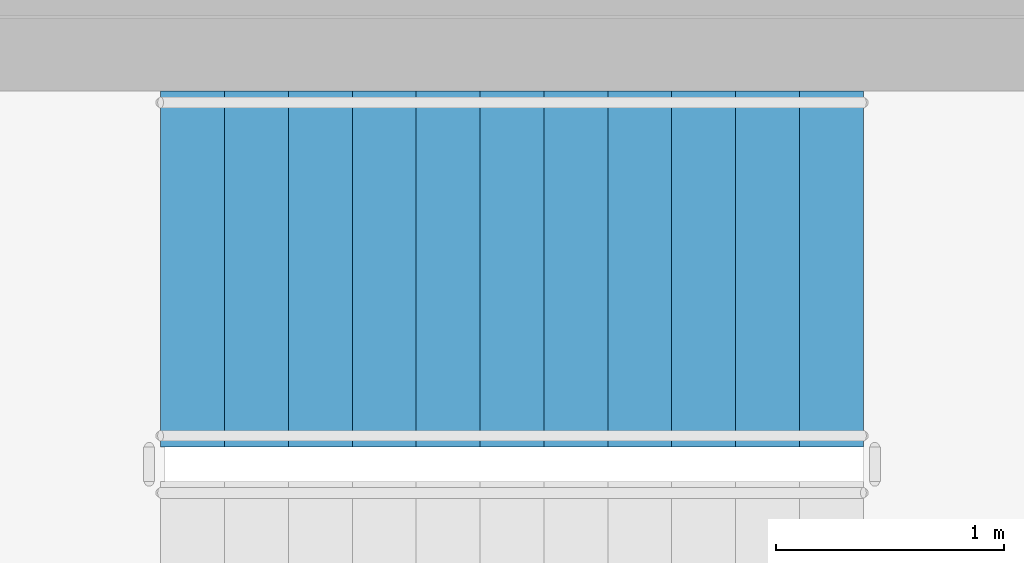
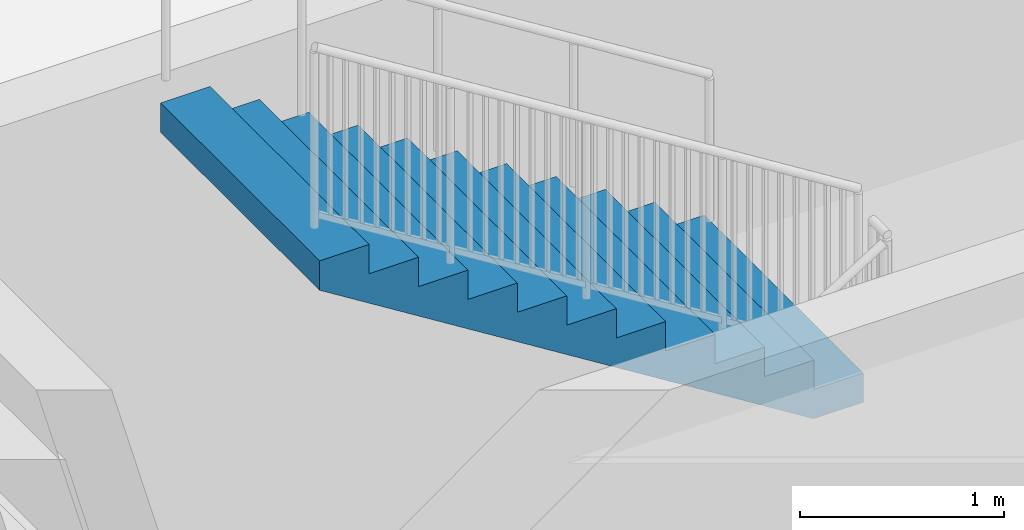
# One storey, part 49 of 63: 1 stair flight, 1 element without a shape of its own.
"""IFC4 building model written with IfcOpenShell, lengths in metres."""

import ifcopenshell
import ifcopenshell.guid

model = None  # the IFC model being written
_history = None  # IfcOwnerHistory: only IFC2X3 demands one
_inside = {}  # id of a spatial element -> (the spatial element, [elements in it])
_under = {}  # id of a project, library or spatial element -> (it, [spatial elements below it])
_declared = {}  # id of a project -> (the project, [libraries it declares])
_typed = {}  # id of a type object -> (the type object, [elements of that type])
_made_of = {}  # id of a material, layer set ... -> (it, [elements and type objects made of it])


def new_model(schema):
    """Start an empty IFC model of exactly this schema.

    Asked for "IFC4X3", IfcOpenShell would pick the latest addendum, in which some entities
    have other attributes; the version numbers below select the first issue.
    IFC2X3 requires an IfcOwnerHistory on every rooted entity: one is made here for all.
    """
    global model, _history
    if schema == "IFC4X3":
        model = ifcopenshell.file(schema_version=(4, 3, 0, 0))
    else:
        model = ifcopenshell.file(schema=schema)
    _inside.clear()
    _under.clear()
    _declared.clear()
    _typed.clear()
    _made_of.clear()
    _history = None
    if model.schema == "IFC2X3":
        org = make("IfcOrganization", Name="unknown")
        user = make(
            "IfcPersonAndOrganization",
            ThePerson=make("IfcPerson", FamilyName="unknown"),
            TheOrganization=org,
        )
        app = make(
            "IfcApplication",
            ApplicationDeveloper=org,
            Version="unknown",
            ApplicationFullName="unknown",
            ApplicationIdentifier="unknown",
        )
        _history = make(
            "IfcOwnerHistory",
            OwningUser=user,
            OwningApplication=app,
            ChangeAction="ADDED",
            CreationDate=0,
        )
    return model


def make(cls, **values):
    """One entity of the class cls with the attributes given. An attribute that is None is left unset."""
    return model.create_entity(
        cls, **{name: value for name, value in values.items() if value is not None}
    )


def rooted(cls, **values):
    """An entity with a GlobalId (a new one), such as an element, a storey or a relation."""
    return make(cls, GlobalId=ifcopenshell.guid.new(), OwnerHistory=_history, **values)


def si_unit(unit_type, name, prefix=None):
    """IfcSIUnit, for example si_unit("LENGTHUNIT", "METRE", prefix="MILLI")."""
    return make("IfcSIUnit", UnitType=unit_type, Prefix=prefix, Name=name)


def assignment(units):
    """IfcUnitAssignment: the units of a project."""
    return None if units is None else make("IfcUnitAssignment", Units=units)


def point(xyz):
    """IfcCartesianPoint."""
    return None if xyz is None else make("IfcCartesianPoint", Coordinates=xyz)


def direction(xyz):
    """IfcDirection."""
    return None if xyz is None else make("IfcDirection", DirectionRatios=xyz)


def frame(location, z_axis=None, x_axis=None):
    """IfcAxis2Placement3D, a coordinate frame: its origin and axes. An axis left out is left unset."""
    return make(
        "IfcAxis2Placement3D",
        Location=point(location),
        Axis=direction(z_axis),
        RefDirection=direction(x_axis),
    )


def origin():
    """The frame at (0, 0, 0) with its axes left unset."""
    return frame((0.0, 0.0, 0.0))


def place(relative_to, where):
    """IfcLocalPlacement: puts the frame where relative to a parent placement (None: the world)."""
    return make(
        "IfcLocalPlacement", PlacementRelTo=relative_to, RelativePlacement=where
    )


def context(
    kind, dimensions, precision=None, world=None, true_north=None, identifier=None
):
    """IfcGeometricRepresentationContext, for example the 3D "Model" context."""
    return make(
        "IfcGeometricRepresentationContext",
        ContextIdentifier=identifier,
        ContextType=kind,
        CoordinateSpaceDimension=dimensions,
        Precision=precision,
        WorldCoordinateSystem=world,
        TrueNorth=true_north,
    )


def subcontext(parent, identifier, kind, view, scale=None):
    """IfcGeometricRepresentationSubContext, for example "Body" below "Model"."""
    return make(
        "IfcGeometricRepresentationSubContext",
        ContextIdentifier=identifier,
        ContextType=kind,
        ParentContext=parent,
        TargetScale=scale,
        TargetView=view,
    )


def project(units=None, contexts=None):
    """IfcProject with its units and contexts."""
    return rooted(
        "IfcProject",
        Name="project",
        RepresentationContexts=contexts,
        UnitsInContext=assignment(units),
    )


def spatial(cls, under=None, at=None, **own):
    """A site, building, storey or space (cls), placed at a placement, below another one or the project."""
    s = rooted(cls, ObjectPlacement=at, **own)
    if under is not None:
        _under.setdefault(under.id(), (under, []))[1].append(s)
    return s


def point_list(points):
    """IfcCartesianPointList2D or 3D."""
    cls = (
        "IfcCartesianPointList2D" if len(points[0]) == 2 else "IfcCartesianPointList3D"
    )
    return make(cls, CoordList=points)


def polygons(points, faces, closed=None, point_numbers=None):
    """IfcPolygonalFaceSet: a face is its outer loop, then its inner loops; points numbered from 1."""
    made = []
    for loops in faces:
        if len(loops) == 1:
            made.append(make("IfcIndexedPolygonalFace", CoordIndex=loops[0]))
        else:
            made.append(
                make(
                    "IfcIndexedPolygonalFaceWithVoids",
                    CoordIndex=loops[0],
                    InnerCoordIndices=loops[1:],
                )
            )
    return make(
        "IfcPolygonalFaceSet",
        Coordinates=point_list(points),
        Closed=closed,
        Faces=made,
        PnIndex=point_numbers,
    )


def shape(context_of_items, identifier, shape_type, items):
    """IfcShapeRepresentation: the items that make up one representation, for example the "Body"."""
    return make(
        "IfcShapeRepresentation",
        ContextOfItems=context_of_items,
        RepresentationIdentifier=identifier,
        RepresentationType=shape_type,
        Items=items,
    )


def material(Name=None, Category=None):
    """IfcMaterial."""
    return make("IfcMaterial", Name=Name, Category=Category)


def made_of(thing, what):
    """Note that an element or type object is made of a material, layer set ...; save() writes the relation."""
    if what is not None:
        _made_of.setdefault(what.id(), (what, []))[1].append(thing)
    return thing


def type_object(cls, material=None, **own):
    """A type object (cls), such as IfcWallType, which elements share."""
    return made_of(rooted(cls, **own), material)


def element(
    cls,
    number,
    at=None,
    inside=None,
    cuts=None,
    type_object=None,
    material=None,
    context=None,
    identifier="Body",
    shape_type=None,
    held_by="IfcProductDefinitionShape",
    body=None,
    shapes=None,
    **own,
):
    """One element of the class cls, such as IfcWall. Its Tag is "e" and its number.

    at: its placement. inside: the storey or other place that contains it. cuts: it is an
    opening in that element (IfcRelVoidsElement). A single representation is given by context,
    identifier, shape_type and body (its items); several are given by shapes. held_by: the class
    of the entity that holds the representations. save() writes the other relations.
    """
    e = rooted(cls, Tag="e%d" % number, ObjectPlacement=at, **own)
    if body is not None:
        shapes = [shape(context, identifier, shape_type, body)]
    if shapes is not None:
        e.Representation = make(held_by, Representations=shapes)
    if inside is not None:
        _inside.setdefault(inside.id(), (inside, []))[1].append(e)
    if cuts is not None:
        rooted(
            "IfcRelVoidsElement", RelatingBuildingElement=cuts, RelatedOpeningElement=e
        )
    if type_object is not None:
        _typed.setdefault(type_object.id(), (type_object, []))[1].append(e)
    return made_of(e, material)


def aggregate(whole, parts):
    """IfcRelAggregates: a whole, such as a stair, and the parts it consists of."""
    return rooted("IfcRelAggregates", RelatingObject=whole, RelatedObjects=parts)


def save(model, path):
    """Write the relations noted so far, then the file.

    IfcRelAggregates (storeys below a building ...), IfcRelContainedInSpatialStructure (elements
    in a storey), IfcRelDefinesByType, IfcRelAssociatesMaterial and IfcRelDeclares: one each for
    every whole, place, type object, material and project.
    """
    for whole, parts in _under.values():
        aggregate(whole, parts)
    for where, things in _inside.values():
        rooted(
            "IfcRelContainedInSpatialStructure",
            RelatedElements=things,
            RelatingStructure=where,
        )
    for kind, things in _typed.values():
        rooted("IfcRelDefinesByType", RelatedObjects=things, RelatingType=kind)
    for what, things in _made_of.values():
        rooted("IfcRelAssociatesMaterial", RelatedObjects=things, RelatingMaterial=what)
    for by, libraries in _declared.values():
        rooted("IfcRelDeclares", RelatingContext=by, RelatedDefinitions=libraries)
    model.write(path)


model = new_model("IFC4")

# Units and contexts
model_context = context("Model", 3, precision=1e-05, world=origin(), true_north=direction((0.0, 1.0)))
body_context = subcontext(model_context, "Body", "Model", "MODEL_VIEW")
ifc_project = project(units=[si_unit("LENGTHUNIT", "METRE"), si_unit("AREAUNIT", "SQUARE_METRE"), si_unit("VOLUMEUNIT", "CUBIC_METRE"), si_unit("PLANEANGLEUNIT", "RADIAN"), si_unit("MASSUNIT", "GRAM", prefix="KILO")], contexts=[model_context])

# Site, building, storey
site_placement = place(None, origin())
site = spatial("IfcSite", under=ifc_project, at=site_placement, CompositionType="ELEMENT")
building_placement = place(site_placement, origin())
building = spatial("IfcBuilding", under=site, at=building_placement, Name="Zantavel Square City Hall", CompositionType="ELEMENT")
storey_placement = place(building_placement, frame((0.0, 0.0, 14.699951171875)))
storey = spatial("IfcBuildingStorey", under=building, at=storey_placement, Name="L04", CompositionType="ELEMENT", Elevation=14.699951171875)

# Stair, stair flight
ifc_material = material(Name="Concrete C35/45", Category="concrete")
stair_type = type_object("IfcStairType", Name="Enclosed Core Dogleg Stair L04 H4200", PredefinedType="HALF_TURN_STAIR", material=ifc_material)
stair_placement = place(storey_placement, origin())
stair = element("IfcStair", 1, at=stair_placement, inside=storey, type_object=stair_type, Name="L04 Exit Stair 1 North-West Core", PredefinedType="HALF_TURN_STAIR")
stair_flight_type = type_object("IfcStairFlightType", Name="Enclosed Core Stair Flight L04 W1560", PredefinedType="STRAIGHT", material=ifc_material)
stair_flight_placement = place(storey_placement, frame((53.110107421875, 82.590087890625, 2.10009765625), z_axis=(0.0, 0.0, 1.0), x_axis=(-1.0, 0.0, 0.0)))
stair_flight = element("IfcStairFlight", 2, at=stair_flight_placement, type_object=stair_flight_type, Name="ST1 flight 2", NumberOfRisers=12, NumberOfTreads=11, PredefinedType="STRAIGHT", RiserHeight=0.175, TreadLength=0.28, context=body_context, shape_type="Tessellation", body=[
    polygons([(0.28271484375, -0.780029296875, 0.0), (3.080078125, -0.780029296875, 1.748291015625), (3.080078125, -0.780029296875, 1.925048828125), (2.800048828125, -0.780029296875, 1.925048828125), (2.800048828125, -0.780029296875, 1.75), (2.52001953125, -0.780029296875, 1.75), (2.52001953125, -0.780029296875, 1.574951171875), (2.239990234375, -0.780029296875, 1.574951171875), (2.239990234375, -0.780029296875, 1.39990234375), (1.9599609375, -0.780029296875, 1.39990234375), (1.9599609375, -0.780029296875, 1.22509765625), (1.679931640625, -0.780029296875, 1.22509765625), (1.679931640625, -0.780029296875, 1.050048828125), (1.39990234375, -0.780029296875, 1.050048828125), (1.39990234375, -0.780029296875, 0.875), (1.1201171875, -0.780029296875, 0.875), (1.1201171875, -0.780029296875, 0.699951171875), (0.840087890625, -0.780029296875, 0.699951171875), (0.840087890625, -0.780029296875, 0.52490234375), (0.56005859375, -0.780029296875, 0.52490234375), (0.56005859375, -0.780029296875, 0.35009765625), (0.280029296875, -0.780029296875, 0.35009765625), (0.280029296875, -0.780029296875, 0.175048828125), (0.0, -0.780029296875, 0.175048828125), (0.0, -0.780029296875, 0.0), (0.28271484375, -0.5849609375, 0.0), (3.080078125, -0.5849609375, 1.748291015625), (3.080078125, -0.5849609375, 1.925048828125), (2.800048828125, -0.5849609375, 1.925048828125), (2.800048828125, -0.5849609375, 1.75), (2.52001953125, -0.5849609375, 1.75), (2.52001953125, -0.5849609375, 1.574951171875), (2.239990234375, -0.5849609375, 1.574951171875), (2.239990234375, -0.5849609375, 1.39990234375), (1.9599609375, -0.5849609375, 1.39990234375), (1.9599609375, -0.5849609375, 1.22509765625), (1.679931640625, -0.5849609375, 1.22509765625), (1.679931640625, -0.5849609375, 1.050048828125), (1.39990234375, -0.5849609375, 1.050048828125), (1.39990234375, -0.5849609375, 0.875), (1.1201171875, -0.5849609375, 0.875), (1.1201171875, -0.5849609375, 0.699951171875), (0.840087890625, -0.5849609375, 0.699951171875), (0.840087890625, -0.5849609375, 0.52490234375), (0.56005859375, -0.5849609375, 0.52490234375), (0.56005859375, -0.5849609375, 0.35009765625), (0.280029296875, -0.5849609375, 0.35009765625), (0.280029296875, -0.5849609375, 0.175048828125), (0.0, -0.5849609375, 0.175048828125), (0.0, -0.5849609375, 0.0), (0.28271484375, -0.39013671875, 0.0), (3.080078125, -0.39013671875, 1.748291015625), (3.080078125, -0.39013671875, 1.925048828125), (2.800048828125, -0.39013671875, 1.925048828125), (2.800048828125, -0.39013671875, 1.75), (2.52001953125, -0.39013671875, 1.75), (2.52001953125, -0.39013671875, 1.574951171875), (2.239990234375, -0.39013671875, 1.574951171875), (2.239990234375, -0.39013671875, 1.39990234375), (1.9599609375, -0.39013671875, 1.39990234375), (1.9599609375, -0.39013671875, 1.22509765625), (1.679931640625, -0.39013671875, 1.22509765625), (1.679931640625, -0.39013671875, 1.050048828125), (1.39990234375, -0.39013671875, 1.050048828125), (1.39990234375, -0.39013671875, 0.875), (1.1201171875, -0.39013671875, 0.875), (1.1201171875, -0.39013671875, 0.699951171875), (0.840087890625, -0.39013671875, 0.699951171875), (0.840087890625, -0.39013671875, 0.52490234375), (0.56005859375, -0.39013671875, 0.52490234375), (0.56005859375, -0.39013671875, 0.35009765625), (0.280029296875, -0.39013671875, 0.35009765625), (0.280029296875, -0.39013671875, 0.175048828125), (0.0, -0.39013671875, 0.175048828125), (0.0, -0.39013671875, 0.0), (0.28271484375, -0.195068359375, 0.0), (3.080078125, -0.195068359375, 1.748291015625), (3.080078125, -0.195068359375, 1.925048828125), (2.800048828125, -0.195068359375, 1.925048828125), (2.800048828125, -0.195068359375, 1.75), (2.52001953125, -0.195068359375, 1.75), (2.52001953125, -0.195068359375, 1.574951171875), (2.239990234375, -0.195068359375, 1.574951171875), (2.239990234375, -0.195068359375, 1.39990234375), (1.9599609375, -0.195068359375, 1.39990234375), (1.9599609375, -0.195068359375, 1.22509765625), (1.679931640625, -0.195068359375, 1.22509765625), (1.679931640625, -0.195068359375, 1.050048828125), (1.39990234375, -0.195068359375, 1.050048828125), (1.39990234375, -0.195068359375, 0.875), (1.1201171875, -0.195068359375, 0.875), (1.1201171875, -0.195068359375, 0.699951171875), (0.840087890625, -0.195068359375, 0.699951171875), (0.840087890625, -0.195068359375, 0.52490234375), (0.56005859375, -0.195068359375, 0.52490234375), (0.56005859375, -0.195068359375, 0.35009765625), (0.280029296875, -0.195068359375, 0.35009765625), (0.280029296875, -0.195068359375, 0.175048828125), (0.0, -0.195068359375, 0.175048828125), (0.0, -0.195068359375, 0.0), (0.28271484375, 0.0, 0.0), (3.080078125, 0.0, 1.748291015625), (3.080078125, 0.0, 1.925048828125), (2.800048828125, 0.0, 1.925048828125), (2.800048828125, 0.0, 1.75), (2.52001953125, 0.0, 1.75), (2.52001953125, 0.0, 1.574951171875), (2.239990234375, 0.0, 1.574951171875), (2.239990234375, 0.0, 1.39990234375), (1.9599609375, 0.0, 1.39990234375), (1.9599609375, 0.0, 1.22509765625), (1.679931640625, 0.0, 1.22509765625), (1.679931640625, 0.0, 1.050048828125), (1.39990234375, 0.0, 1.050048828125), (1.39990234375, 0.0, 0.875), (1.1201171875, 0.0, 0.875), (1.1201171875, 0.0, 0.699951171875), (0.840087890625, 0.0, 0.699951171875), (0.840087890625, 0.0, 0.52490234375), (0.56005859375, 0.0, 0.52490234375), (0.56005859375, 0.0, 0.35009765625), (0.280029296875, 0.0, 0.35009765625), (0.280029296875, 0.0, 0.175048828125), (0.0, 0.0, 0.175048828125), (0.0, 0.0, 0.0), (0.28271484375, 0.195068359375, 0.0), (3.080078125, 0.195068359375, 1.748291015625), (3.080078125, 0.195068359375, 1.925048828125), (2.800048828125, 0.195068359375, 1.925048828125), (2.800048828125, 0.195068359375, 1.75), (2.52001953125, 0.195068359375, 1.75), (2.52001953125, 0.195068359375, 1.574951171875), (2.239990234375, 0.195068359375, 1.574951171875), (2.239990234375, 0.195068359375, 1.39990234375), (1.9599609375, 0.195068359375, 1.39990234375), (1.9599609375, 0.195068359375, 1.22509765625), (1.679931640625, 0.195068359375, 1.22509765625), (1.679931640625, 0.195068359375, 1.050048828125), (1.39990234375, 0.195068359375, 1.050048828125), (1.39990234375, 0.195068359375, 0.875), (1.1201171875, 0.195068359375, 0.875), (1.1201171875, 0.195068359375, 0.699951171875), (0.840087890625, 0.195068359375, 0.699951171875), (0.840087890625, 0.195068359375, 0.52490234375), (0.56005859375, 0.195068359375, 0.52490234375), (0.56005859375, 0.195068359375, 0.35009765625), (0.280029296875, 0.195068359375, 0.35009765625), (0.280029296875, 0.195068359375, 0.175048828125), (0.0, 0.195068359375, 0.175048828125), (0.0, 0.195068359375, 0.0), (0.28271484375, 0.39013671875, 0.0), (3.080078125, 0.39013671875, 1.748291015625), (3.080078125, 0.39013671875, 1.925048828125), (2.800048828125, 0.39013671875, 1.925048828125), (2.800048828125, 0.39013671875, 1.75), (2.52001953125, 0.39013671875, 1.75), (2.52001953125, 0.39013671875, 1.574951171875), (2.239990234375, 0.39013671875, 1.574951171875), (2.239990234375, 0.39013671875, 1.39990234375), (1.9599609375, 0.39013671875, 1.39990234375), (1.9599609375, 0.39013671875, 1.22509765625), (1.679931640625, 0.39013671875, 1.22509765625), (1.679931640625, 0.39013671875, 1.050048828125), (1.39990234375, 0.39013671875, 1.050048828125), (1.39990234375, 0.39013671875, 0.875), (1.1201171875, 0.39013671875, 0.875), (1.1201171875, 0.39013671875, 0.699951171875), (0.840087890625, 0.39013671875, 0.699951171875), (0.840087890625, 0.39013671875, 0.52490234375), (0.56005859375, 0.39013671875, 0.52490234375), (0.56005859375, 0.39013671875, 0.35009765625), (0.280029296875, 0.39013671875, 0.35009765625), (0.280029296875, 0.39013671875, 0.175048828125), (0.0, 0.39013671875, 0.175048828125), (0.0, 0.39013671875, 0.0), (0.28271484375, 0.5849609375, 0.0), (3.080078125, 0.5849609375, 1.748291015625), (3.080078125, 0.5849609375, 1.925048828125), (2.800048828125, 0.5849609375, 1.925048828125), (2.800048828125, 0.5849609375, 1.75), (2.52001953125, 0.5849609375, 1.75), (2.52001953125, 0.5849609375, 1.574951171875), (2.239990234375, 0.5849609375, 1.574951171875), (2.239990234375, 0.5849609375, 1.39990234375), (1.9599609375, 0.5849609375, 1.39990234375), (1.9599609375, 0.5849609375, 1.22509765625), (1.679931640625, 0.5849609375, 1.22509765625), (1.679931640625, 0.5849609375, 1.050048828125), (1.39990234375, 0.5849609375, 1.050048828125), (1.39990234375, 0.5849609375, 0.875), (1.1201171875, 0.5849609375, 0.875), (1.1201171875, 0.5849609375, 0.699951171875), (0.840087890625, 0.5849609375, 0.699951171875), (0.840087890625, 0.5849609375, 0.52490234375), (0.56005859375, 0.5849609375, 0.52490234375), (0.56005859375, 0.5849609375, 0.35009765625), (0.280029296875, 0.5849609375, 0.35009765625), (0.280029296875, 0.5849609375, 0.175048828125), (0.0, 0.5849609375, 0.175048828125), (0.0, 0.5849609375, 0.0), (0.28271484375, 0.780029296875, 0.0), (3.080078125, 0.780029296875, 1.748291015625), (3.080078125, 0.780029296875, 1.925048828125), (2.800048828125, 0.780029296875, 1.925048828125), (2.800048828125, 0.780029296875, 1.75), (2.52001953125, 0.780029296875, 1.75), (2.52001953125, 0.780029296875, 1.574951171875), (2.239990234375, 0.780029296875, 1.574951171875), (2.239990234375, 0.780029296875, 1.39990234375), (1.9599609375, 0.780029296875, 1.39990234375), (1.9599609375, 0.780029296875, 1.22509765625), (1.679931640625, 0.780029296875, 1.22509765625), (1.679931640625, 0.780029296875, 1.050048828125), (1.39990234375, 0.780029296875, 1.050048828125), (1.39990234375, 0.780029296875, 0.875), (1.1201171875, 0.780029296875, 0.875), (1.1201171875, 0.780029296875, 0.699951171875), (0.840087890625, 0.780029296875, 0.699951171875), (0.840087890625, 0.780029296875, 0.52490234375), (0.56005859375, 0.780029296875, 0.52490234375), (0.56005859375, 0.780029296875, 0.35009765625), (0.280029296875, 0.780029296875, 0.35009765625), (0.280029296875, 0.780029296875, 0.175048828125), (0.0, 0.780029296875, 0.175048828125), (0.0, 0.780029296875, 0.0)], [[[1, 2, 3, 4, 5, 6, 7, 8, 9, 10, 11, 12, 13, 14, 15, 16, 17, 18, 19, 20, 21, 22, 23, 24, 25]], [[225, 224, 223, 222, 221, 220, 219, 218, 217, 216, 215, 214, 213, 212, 211, 210, 209, 208, 207, 206, 205, 204, 203, 202, 201]], [[1, 26, 27]], [[1, 27, 2]], [[2, 27, 28]], [[2, 28, 3]], [[3, 28, 29]], [[3, 29, 4]], [[4, 29, 30]], [[4, 30, 5]], [[5, 30, 31]], [[5, 31, 6]], [[6, 31, 32]], [[6, 32, 7]], [[7, 32, 33]], [[7, 33, 8]], [[8, 33, 34]], [[8, 34, 9]], [[9, 34, 35]], [[9, 35, 10]], [[10, 35, 36]], [[10, 36, 11]], [[11, 36, 37]], [[11, 37, 12]], [[12, 37, 38]], [[12, 38, 13]], [[13, 38, 39]], [[13, 39, 14]], [[14, 39, 40]], [[14, 40, 15]], [[15, 40, 41]], [[15, 41, 16]], [[16, 41, 42]], [[16, 42, 17]], [[17, 42, 43]], [[17, 43, 18]], [[18, 43, 44]], [[18, 44, 19]], [[19, 44, 45]], [[19, 45, 20]], [[20, 45, 46]], [[20, 46, 21]], [[21, 46, 47]], [[21, 47, 22]], [[22, 47, 48]], [[22, 48, 23]], [[23, 48, 49]], [[23, 49, 24]], [[24, 49, 50]], [[24, 50, 25]], [[25, 50, 26]], [[25, 26, 1]], [[26, 51, 52]], [[26, 52, 27]], [[27, 52, 53]], [[27, 53, 28]], [[28, 53, 54]], [[28, 54, 29]], [[29, 54, 55]], [[29, 55, 30]], [[30, 55, 56]], [[30, 56, 31]], [[31, 56, 57]], [[31, 57, 32]], [[32, 57, 58]], [[32, 58, 33]], [[33, 58, 59]], [[33, 59, 34]], [[34, 59, 60]], [[34, 60, 35]], [[35, 60, 61]], [[35, 61, 36]], [[36, 61, 62]], [[36, 62, 37]], [[37, 62, 63]], [[37, 63, 38]], [[38, 63, 64]], [[38, 64, 39]], [[39, 64, 65]], [[39, 65, 40]], [[40, 65, 66]], [[40, 66, 41]], [[41, 66, 67]], [[41, 67, 42]], [[42, 67, 68]], [[42, 68, 43]], [[43, 68, 69]], [[43, 69, 44]], [[44, 69, 70]], [[44, 70, 45]], [[45, 70, 71]], [[45, 71, 46]], [[46, 71, 72]], [[46, 72, 47]], [[47, 72, 73]], [[47, 73, 48]], [[48, 73, 74]], [[48, 74, 49]], [[49, 74, 75]], [[49, 75, 50]], [[50, 75, 51]], [[50, 51, 26]], [[51, 76, 77]], [[51, 77, 52]], [[52, 77, 78]], [[52, 78, 53]], [[53, 78, 79]], [[53, 79, 54]], [[54, 79, 80]], [[54, 80, 55]], [[55, 80, 81]], [[55, 81, 56]], [[56, 81, 82]], [[56, 82, 57]], [[57, 82, 83]], [[57, 83, 58]], [[58, 83, 84]], [[58, 84, 59]], [[59, 84, 85]], [[59, 85, 60]], [[60, 85, 86]], [[60, 86, 61]], [[61, 86, 87]], [[61, 87, 62]], [[62, 87, 88]], [[62, 88, 63]], [[63, 88, 89]], [[63, 89, 64]], [[64, 89, 90]], [[64, 90, 65]], [[65, 90, 91]], [[65, 91, 66]], [[66, 91, 92]], [[66, 92, 67]], [[67, 92, 93]], [[67, 93, 68]], [[68, 93, 94]], [[68, 94, 69]], [[69, 94, 95]], [[69, 95, 70]], [[70, 95, 96]], [[70, 96, 71]], [[71, 96, 97]], [[71, 97, 72]], [[72, 97, 98]], [[72, 98, 73]], [[73, 98, 99]], [[73, 99, 74]], [[74, 99, 100]], [[74, 100, 75]], [[75, 100, 76]], [[75, 76, 51]], [[76, 101, 102]], [[76, 102, 77]], [[77, 102, 103]], [[77, 103, 78]], [[78, 103, 104]], [[78, 104, 79]], [[79, 104, 105]], [[79, 105, 80]], [[80, 105, 106]], [[80, 106, 81]], [[81, 106, 107]], [[81, 107, 82]], [[82, 107, 108]], [[82, 108, 83]], [[83, 108, 109]], [[83, 109, 84]], [[84, 109, 110]], [[84, 110, 85]], [[85, 110, 111]], [[85, 111, 86]], [[86, 111, 112]], [[86, 112, 87]], [[87, 112, 113]], [[87, 113, 88]], [[88, 113, 114]], [[88, 114, 89]], [[89, 114, 115]], [[89, 115, 90]], [[90, 115, 116]], [[90, 116, 91]], [[91, 116, 117]], [[91, 117, 92]], [[92, 117, 118]], [[92, 118, 93]], [[93, 118, 119]], [[93, 119, 94]], [[94, 119, 120]], [[94, 120, 95]], [[95, 120, 121]], [[95, 121, 96]], [[96, 121, 122]], [[96, 122, 97]], [[97, 122, 123]], [[97, 123, 98]], [[98, 123, 124]], [[98, 124, 99]], [[99, 124, 125]], [[99, 125, 100]], [[100, 125, 101]], [[100, 101, 76]], [[101, 126, 102]], [[126, 127, 102]], [[102, 127, 103]], [[127, 128, 103]], [[103, 128, 104]], [[128, 129, 104]], [[104, 129, 105]], [[129, 130, 105]], [[105, 130, 106]], [[130, 131, 106]], [[106, 131, 107]], [[131, 132, 107]], [[107, 132, 108]], [[132, 133, 108]], [[108, 133, 109]], [[133, 134, 109]], [[109, 134, 110]], [[134, 135, 110]], [[110, 135, 111]], [[135, 136, 111]], [[111, 136, 112]], [[136, 137, 112]], [[112, 137, 113]], [[137, 138, 113]], [[113, 138, 114]], [[138, 139, 114]], [[114, 139, 115]], [[139, 140, 115]], [[115, 140, 116]], [[140, 141, 116]], [[116, 141, 117]], [[141, 142, 117]], [[117, 142, 118]], [[142, 143, 118]], [[118, 143, 119]], [[143, 144, 119]], [[119, 144, 120]], [[144, 145, 120]], [[120, 145, 121]], [[145, 146, 121]], [[121, 146, 122]], [[146, 147, 122]], [[122, 147, 123]], [[147, 148, 123]], [[123, 148, 124]], [[148, 149, 124]], [[124, 149, 125]], [[149, 150, 125]], [[125, 150, 101]], [[150, 126, 101]], [[126, 151, 127]], [[151, 152, 127]], [[127, 152, 128]], [[152, 153, 128]], [[128, 153, 129]], [[153, 154, 129]], [[129, 154, 130]], [[154, 155, 130]], [[130, 155, 131]], [[155, 156, 131]], [[131, 156, 132]], [[156, 157, 132]], [[132, 157, 133]], [[157, 158, 133]], [[133, 158, 134]], [[158, 159, 134]], [[134, 159, 135]], [[159, 160, 135]], [[135, 160, 136]], [[160, 161, 136]], [[136, 161, 137]], [[161, 162, 137]], [[137, 162, 138]], [[162, 163, 138]], [[138, 163, 139]], [[163, 164, 139]], [[139, 164, 140]], [[164, 165, 140]], [[140, 165, 141]], [[165, 166, 141]], [[141, 166, 142]], [[166, 167, 142]], [[142, 167, 143]], [[167, 168, 143]], [[143, 168, 144]], [[168, 169, 144]], [[144, 169, 145]], [[169, 170, 145]], [[145, 170, 146]], [[170, 171, 146]], [[146, 171, 147]], [[171, 172, 147]], [[147, 172, 148]], [[172, 173, 148]], [[148, 173, 149]], [[173, 174, 149]], [[149, 174, 150]], [[174, 175, 150]], [[150, 175, 126]], [[175, 151, 126]], [[151, 176, 152]], [[176, 177, 152]], [[152, 177, 153]], [[177, 178, 153]], [[153, 178, 154]], [[178, 179, 154]], [[154, 179, 155]], [[179, 180, 155]], [[155, 180, 156]], [[180, 181, 156]], [[156, 181, 157]], [[181, 182, 157]], [[157, 182, 158]], [[182, 183, 158]], [[158, 183, 159]], [[183, 184, 159]], [[159, 184, 160]], [[184, 185, 160]], [[160, 185, 161]], [[185, 186, 161]], [[161, 186, 162]], [[186, 187, 162]], [[162, 187, 163]], [[187, 188, 163]], [[163, 188, 164]], [[188, 189, 164]], [[164, 189, 165]], [[189, 190, 165]], [[165, 190, 166]], [[190, 191, 166]], [[166, 191, 167]], [[191, 192, 167]], [[167, 192, 168]], [[192, 193, 168]], [[168, 193, 169]], [[193, 194, 169]], [[169, 194, 170]], [[194, 195, 170]], [[170, 195, 171]], [[195, 196, 171]], [[171, 196, 172]], [[196, 197, 172]], [[172, 197, 173]], [[197, 198, 173]], [[173, 198, 174]], [[198, 199, 174]], [[174, 199, 175]], [[199, 200, 175]], [[175, 200, 151]], [[200, 176, 151]], [[176, 201, 177]], [[201, 202, 177]], [[177, 202, 178]], [[202, 203, 178]], [[178, 203, 179]], [[203, 204, 179]], [[179, 204, 180]], [[204, 205, 180]], [[180, 205, 181]], [[205, 206, 181]], [[181, 206, 182]], [[206, 207, 182]], [[182, 207, 183]], [[207, 208, 183]], [[183, 208, 184]], [[208, 209, 184]], [[184, 209, 185]], [[209, 210, 185]], [[185, 210, 186]], [[210, 211, 186]], [[186, 211, 187]], [[211, 212, 187]], [[187, 212, 188]], [[212, 213, 188]], [[188, 213, 189]], [[213, 214, 189]], [[189, 214, 190]], [[214, 215, 190]], [[190, 215, 191]], [[215, 216, 191]], [[191, 216, 192]], [[216, 217, 192]], [[192, 217, 193]], [[217, 218, 193]], [[193, 218, 194]], [[218, 219, 194]], [[194, 219, 195]], [[219, 220, 195]], [[195, 220, 196]], [[220, 221, 196]], [[196, 221, 197]], [[221, 222, 197]], [[197, 222, 198]], [[222, 223, 198]], [[198, 223, 199]], [[223, 224, 199]], [[199, 224, 200]], [[224, 225, 200]], [[200, 225, 176]], [[225, 201, 176]]], closed=True),
])
aggregate(stair, [stair_flight])

save(model, "model.ifc")
